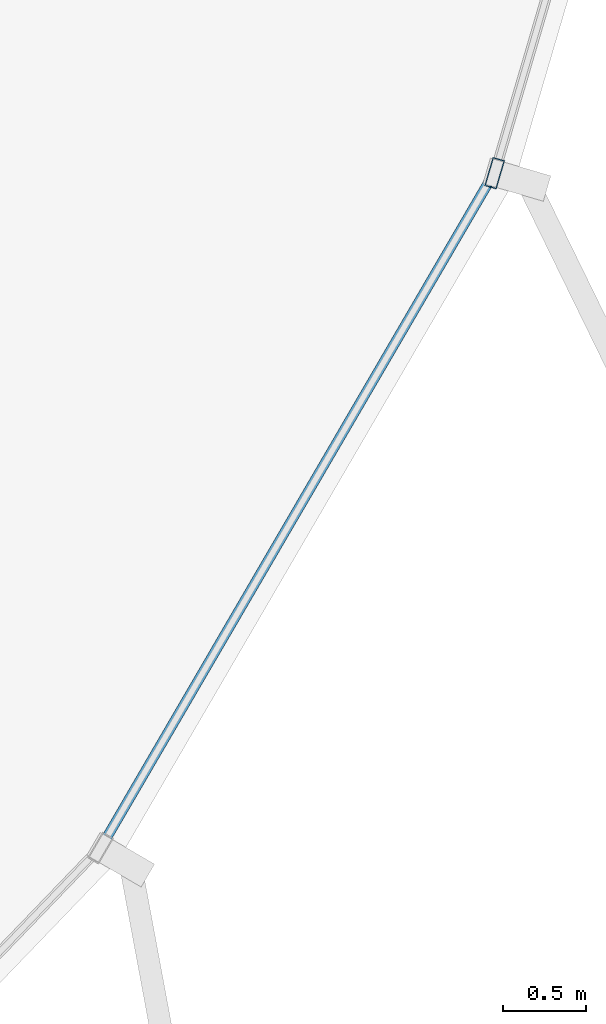
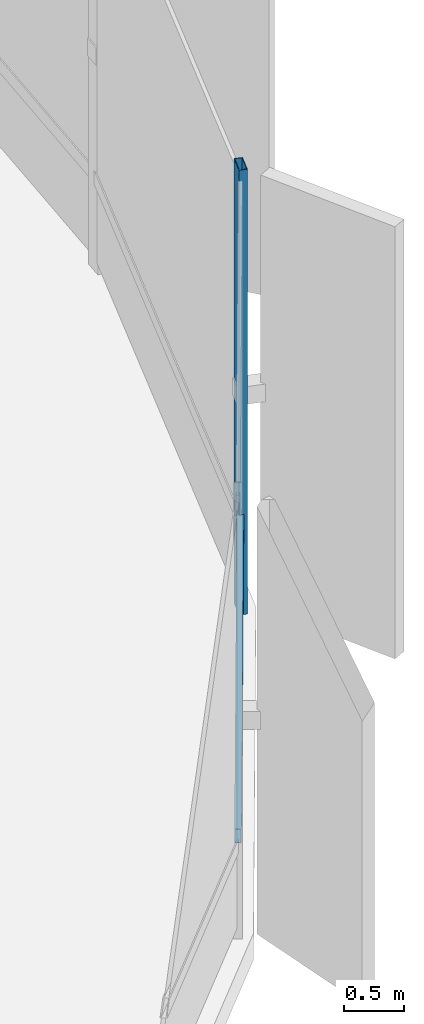
# One storey, part 17 of 34: 2 members, 1 element without a shape of its own.
"""IFC4 building model written with IfcOpenShell, lengths in metres."""

from ifc_helpers import new_model, si_unit, direction, frame, origin, origin_2d, place, context, subcontext, project, spatial, hollow_rectangle, extrude, source, transform, mapped, material, layer, layer_set, material_profile, profile_set, type_object, element, aggregate, save


model = new_model("IFC4")

# Units and contexts
model_context = context("Model", 3, precision=1e-05, world=origin(), true_north=direction((0.0, 1.0)))
body_context = subcontext(model_context, "Body", "Model", "MODEL_VIEW")
ifc_project = project(units=[si_unit("LENGTHUNIT", "METRE"), si_unit("AREAUNIT", "SQUARE_METRE"), si_unit("VOLUMEUNIT", "CUBIC_METRE"), si_unit("PLANEANGLEUNIT", "RADIAN"), si_unit("MASSUNIT", "GRAM", prefix="KILO"), si_unit("THERMODYNAMICTEMPERATUREUNIT", "KELVIN")], contexts=[model_context])

# Site, building, storey
site_placement = place(None, origin())
site = spatial("IfcSite", under=ifc_project, at=site_placement, CompositionType="ELEMENT")
building_placement = place(site_placement, origin())
building = spatial("IfcBuilding", under=site, at=building_placement, Name="Kethvar Cultural Tower", CompositionType="ELEMENT")
storey_placement = place(building_placement, frame((0.0, 0.0, 14.800048828125)))
storey = spatial("IfcBuildingStorey", under=building, at=storey_placement, Name="L03", CompositionType="ELEMENT", Elevation=14.800048828125)

# Curtain wall, members
ifc_material = material(Name="Aluminium 6063-T6", Category="aluminium")
ifc_layer = layer(ifc_material, 0.179931640625, Name="Aluminium 6063-T6", Category="aluminium")
ifc_layer_set = layer_set([ifc_layer], Name="Aluminium 6063-T6 (180 mm)")
curtain_wall_type = type_object("IfcCurtainWallType", Name="CW-SYS-01-POD", PredefinedType="NOTDEFINED", material=ifc_layer_set)
curtain_wall_placement = place(storey_placement, origin())
curtain_wall = element("IfcCurtainWall", 1, at=curtain_wall_placement, inside=storey, type_object=curtain_wall_type, Name="L03 Curtain Wall Run 06", PredefinedType="NOTDEFINED")
ifc_material_profile_1 = material_profile(ifc_material, hollow_rectangle(XDim=0.06005859375, YDim=0.139892578125, WallThickness=0.0048828125, at=origin_2d()), Name="Aluminium 6063-T6 — RHS140x60x5")
ifc_profile_set_1 = profile_set([ifc_material_profile_1], Name="Aluminium 6063-T6 — RHS140x60x5")
member_type_1 = type_object("IfcMemberType", Name="CW-SYS-01-POD-TRN", PredefinedType="USERDEFINED", material=ifc_profile_set_1)
shared_shape_1 = source(origin(), body_context, "Body", "SweptSolid", [
    extrude(hollow_rectangle(XDim=0.06005859375, YDim=0.139892578125, WallThickness=0.0048828125, at=origin_2d()), origin(), (0.0, 0.0, 1.0), 4.639892578125),
])
member_1_placement = place(storey_placement, frame((78.79931640625, 11.71826171875, 0.949951171875), z_axis=(0.503504560489, 0.863992568004, 0.0), x_axis=(-0.863992568004, 0.503504560489, 0.0)))
member_1 = element("IfcMember", 2, at=member_1_placement, type_object=member_type_1, Name="CW-L03-R06 Transom 2", ObjectType="TRANSOM", PredefinedType="USERDEFINED", context=body_context, shape_type="MappedRepresentation", body=[
    mapped(shared_shape_1, transform((0.0, 0.0, 0.0), scale=1.0)),
])
ifc_material_profile_2 = material_profile(ifc_material, hollow_rectangle(XDim=0.074951171875, YDim=0.179931640625, WallThickness=0.006103515625, at=origin_2d()), Name="Aluminium 6063-T6 — RHS180x75x6")
ifc_profile_set_2 = profile_set([ifc_material_profile_2], Name="Aluminium 6063-T6 — RHS180x75x6")
member_type_2 = type_object("IfcMemberType", Name="CW-SYS-01-POD-MUL", PredefinedType="MULLION", material=ifc_profile_set_2)
shared_shape_2 = source(origin(), body_context, "Body", "SweptSolid", [
    extrude(hollow_rectangle(XDim=0.074951171875, YDim=0.179931640625, WallThickness=0.006103515625, at=origin_2d()), origin(), (0.0, 0.0, 1.0), 4.530029296875),
])
member_2_placement = place(storey_placement, frame((81.150390625, 15.744873046875, 0.0), z_axis=(0.0, 0.0, 1.0), x_axis=(-0.959496102658, 0.28172190008, 0.0)))
member_2 = element("IfcMember", 3, at=member_2_placement, type_object=member_type_2, Name="CW-L03-R06 Mullion 3", PredefinedType="MULLION", context=body_context, shape_type="MappedRepresentation", body=[
    mapped(shared_shape_2, transform((0.0, 0.0, 0.0), scale=1.0)),
])
aggregate(curtain_wall, [member_2, member_1])

save(model, "model.ifc")
